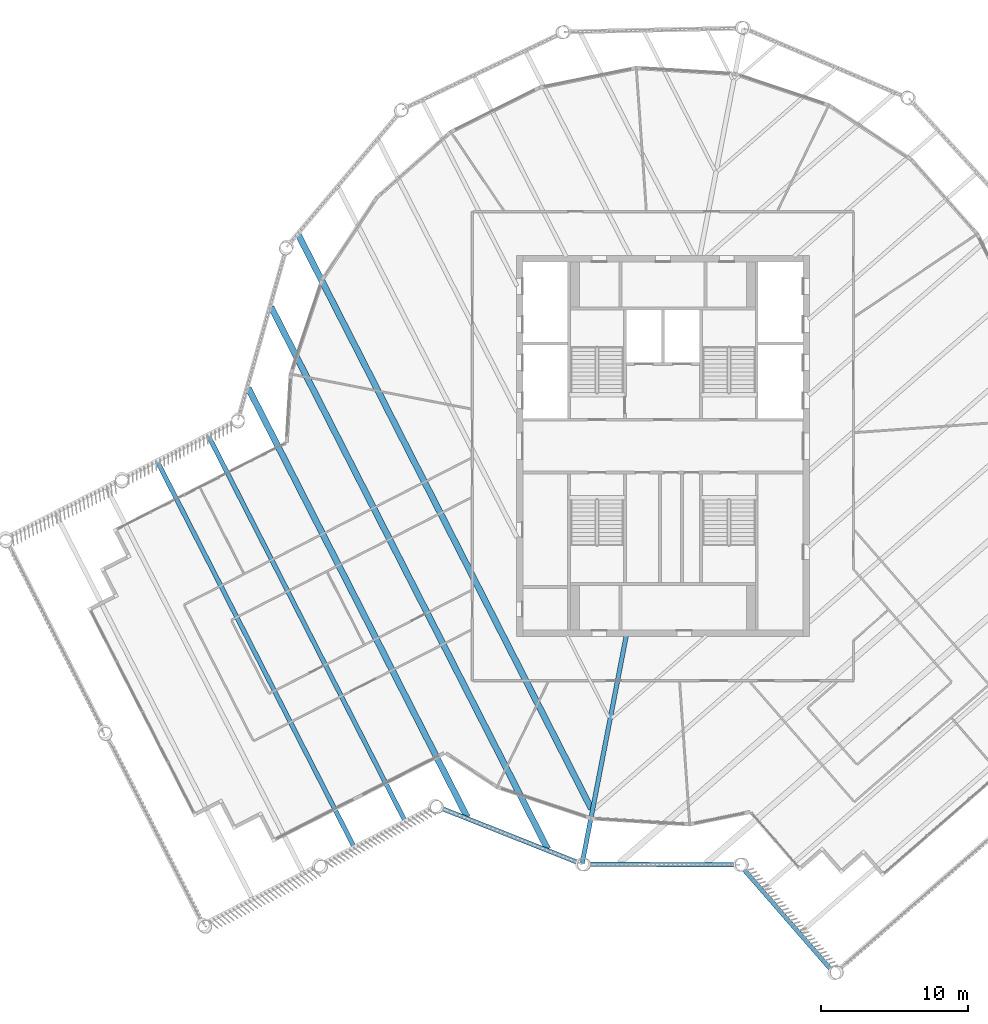
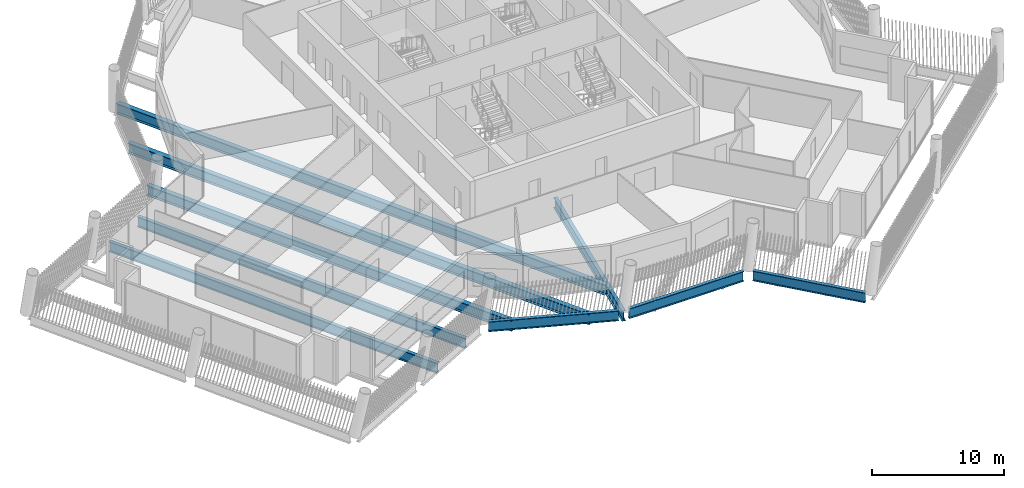
# One storey, part 7 of 28: 9 beams.
"""IFC4 building model written with IfcOpenShell, lengths in metres."""

import ifcopenshell
import ifcopenshell.guid

model = None  # the IFC model being written
_history = None  # IfcOwnerHistory: only IFC2X3 demands one
_inside = {}  # id of a spatial element -> (the spatial element, [elements in it])
_under = {}  # id of a project, library or spatial element -> (it, [spatial elements below it])
_declared = {}  # id of a project -> (the project, [libraries it declares])
_typed = {}  # id of a type object -> (the type object, [elements of that type])
_made_of = {}  # id of a material, layer set ... -> (it, [elements and type objects made of it])


def new_model(schema):
    """Start an empty IFC model of exactly this schema.

    Asked for "IFC4X3", IfcOpenShell would pick the latest addendum, in which some entities
    have other attributes; the version numbers below select the first issue.
    IFC2X3 requires an IfcOwnerHistory on every rooted entity: one is made here for all.
    """
    global model, _history
    if schema == "IFC4X3":
        model = ifcopenshell.file(schema_version=(4, 3, 0, 0))
    else:
        model = ifcopenshell.file(schema=schema)
    _inside.clear()
    _under.clear()
    _declared.clear()
    _typed.clear()
    _made_of.clear()
    _history = None
    if model.schema == "IFC2X3":
        org = make("IfcOrganization", Name="unknown")
        user = make(
            "IfcPersonAndOrganization",
            ThePerson=make("IfcPerson", FamilyName="unknown"),
            TheOrganization=org,
        )
        app = make(
            "IfcApplication",
            ApplicationDeveloper=org,
            Version="unknown",
            ApplicationFullName="unknown",
            ApplicationIdentifier="unknown",
        )
        _history = make(
            "IfcOwnerHistory",
            OwningUser=user,
            OwningApplication=app,
            ChangeAction="ADDED",
            CreationDate=0,
        )
    return model


def make(cls, **values):
    """One entity of the class cls with the attributes given. An attribute that is None is left unset."""
    return model.create_entity(
        cls, **{name: value for name, value in values.items() if value is not None}
    )


def rooted(cls, **values):
    """An entity with a GlobalId (a new one), such as an element, a storey or a relation."""
    return make(cls, GlobalId=ifcopenshell.guid.new(), OwnerHistory=_history, **values)


def si_unit(unit_type, name, prefix=None):
    """IfcSIUnit, for example si_unit("LENGTHUNIT", "METRE", prefix="MILLI")."""
    return make("IfcSIUnit", UnitType=unit_type, Prefix=prefix, Name=name)


def assignment(units):
    """IfcUnitAssignment: the units of a project."""
    return None if units is None else make("IfcUnitAssignment", Units=units)


def point(xyz):
    """IfcCartesianPoint."""
    return None if xyz is None else make("IfcCartesianPoint", Coordinates=xyz)


def direction(xyz):
    """IfcDirection."""
    return None if xyz is None else make("IfcDirection", DirectionRatios=xyz)


def frame(location, z_axis=None, x_axis=None):
    """IfcAxis2Placement3D, a coordinate frame: its origin and axes. An axis left out is left unset."""
    return make(
        "IfcAxis2Placement3D",
        Location=point(location),
        Axis=direction(z_axis),
        RefDirection=direction(x_axis),
    )


def frame_2d(location, x_axis=None):
    """IfcAxis2Placement2D, a coordinate frame in the plane: its origin and x axis."""
    return make(
        "IfcAxis2Placement2D", Location=point(location), RefDirection=direction(x_axis)
    )


def origin():
    """The frame at (0, 0, 0) with its axes left unset."""
    return frame((0.0, 0.0, 0.0))


def origin_2d():
    """The frame at (0, 0) in the plane with its x axis left unset."""
    return frame_2d((0.0, 0.0))


def place(relative_to, where):
    """IfcLocalPlacement: puts the frame where relative to a parent placement (None: the world)."""
    return make(
        "IfcLocalPlacement", PlacementRelTo=relative_to, RelativePlacement=where
    )


def context(
    kind, dimensions, precision=None, world=None, true_north=None, identifier=None
):
    """IfcGeometricRepresentationContext, for example the 3D "Model" context."""
    return make(
        "IfcGeometricRepresentationContext",
        ContextIdentifier=identifier,
        ContextType=kind,
        CoordinateSpaceDimension=dimensions,
        Precision=precision,
        WorldCoordinateSystem=world,
        TrueNorth=true_north,
    )


def subcontext(parent, identifier, kind, view, scale=None):
    """IfcGeometricRepresentationSubContext, for example "Body" below "Model"."""
    return make(
        "IfcGeometricRepresentationSubContext",
        ContextIdentifier=identifier,
        ContextType=kind,
        ParentContext=parent,
        TargetScale=scale,
        TargetView=view,
    )


def project(units=None, contexts=None):
    """IfcProject with its units and contexts."""
    return rooted(
        "IfcProject",
        Name="project",
        RepresentationContexts=contexts,
        UnitsInContext=assignment(units),
    )


def spatial(cls, under=None, at=None, **own):
    """A site, building, storey or space (cls), placed at a placement, below another one or the project."""
    s = rooted(cls, ObjectPlacement=at, **own)
    if under is not None:
        _under.setdefault(under.id(), (under, []))[1].append(s)
    return s


def profile(cls, at=None, kind="AREA", **sizes):
    """A parametric profile (cls). Its sizes go by their IFC names, for example OverallWidth=200.0."""
    return make(cls, ProfileType=kind, Position=at, **sizes)


def i_section(**sizes):
    """IfcIShapeProfileDef."""
    return profile("IfcIShapeProfileDef", **sizes)


def extrude(swept, where, along, depth):
    """IfcExtrudedAreaSolid: the profile swept, set in the frame where, extruded along a direction by depth."""
    return make(
        "IfcExtrudedAreaSolid",
        SweptArea=swept,
        Position=where,
        ExtrudedDirection=direction(along),
        Depth=depth,
    )


def shape(context_of_items, identifier, shape_type, items):
    """IfcShapeRepresentation: the items that make up one representation, for example the "Body"."""
    return make(
        "IfcShapeRepresentation",
        ContextOfItems=context_of_items,
        RepresentationIdentifier=identifier,
        RepresentationType=shape_type,
        Items=items,
    )


def material(Name=None, Category=None):
    """IfcMaterial."""
    return make("IfcMaterial", Name=Name, Category=Category)


def material_profile(
    of_material, cross_section, Name=None, Category=None, Priority=None
):
    """IfcMaterialProfile: a cross section and its material."""
    return make(
        "IfcMaterialProfile",
        Name=Name,
        Material=of_material,
        Profile=cross_section,
        Priority=Priority,
        Category=Category,
    )


def profile_set(profiles, Name=None, composite=None):
    """IfcMaterialProfileSet."""
    return make(
        "IfcMaterialProfileSet",
        Name=Name,
        MaterialProfiles=profiles,
        CompositeProfile=composite,
    )


def made_of(thing, what):
    """Note that an element or type object is made of a material, layer set ...; save() writes the relation."""
    if what is not None:
        _made_of.setdefault(what.id(), (what, []))[1].append(thing)
    return thing


def type_object(cls, material=None, **own):
    """A type object (cls), such as IfcWallType, which elements share."""
    return made_of(rooted(cls, **own), material)


def element(
    cls,
    number,
    at=None,
    inside=None,
    cuts=None,
    type_object=None,
    material=None,
    context=None,
    identifier="Body",
    shape_type=None,
    held_by="IfcProductDefinitionShape",
    body=None,
    shapes=None,
    **own,
):
    """One element of the class cls, such as IfcWall. Its Tag is "e" and its number.

    at: its placement. inside: the storey or other place that contains it. cuts: it is an
    opening in that element (IfcRelVoidsElement). A single representation is given by context,
    identifier, shape_type and body (its items); several are given by shapes. held_by: the class
    of the entity that holds the representations. save() writes the other relations.
    """
    e = rooted(cls, Tag="e%d" % number, ObjectPlacement=at, **own)
    if body is not None:
        shapes = [shape(context, identifier, shape_type, body)]
    if shapes is not None:
        e.Representation = make(held_by, Representations=shapes)
    if inside is not None:
        _inside.setdefault(inside.id(), (inside, []))[1].append(e)
    if cuts is not None:
        rooted(
            "IfcRelVoidsElement", RelatingBuildingElement=cuts, RelatedOpeningElement=e
        )
    if type_object is not None:
        _typed.setdefault(type_object.id(), (type_object, []))[1].append(e)
    return made_of(e, material)


def aggregate(whole, parts):
    """IfcRelAggregates: a whole, such as a stair, and the parts it consists of."""
    return rooted("IfcRelAggregates", RelatingObject=whole, RelatedObjects=parts)


def save(model, path):
    """Write the relations noted so far, then the file.

    IfcRelAggregates (storeys below a building ...), IfcRelContainedInSpatialStructure (elements
    in a storey), IfcRelDefinesByType, IfcRelAssociatesMaterial and IfcRelDeclares: one each for
    every whole, place, type object, material and project.
    """
    for whole, parts in _under.values():
        aggregate(whole, parts)
    for where, things in _inside.values():
        rooted(
            "IfcRelContainedInSpatialStructure",
            RelatedElements=things,
            RelatingStructure=where,
        )
    for kind, things in _typed.values():
        rooted("IfcRelDefinesByType", RelatedObjects=things, RelatingType=kind)
    for what, things in _made_of.values():
        rooted("IfcRelAssociatesMaterial", RelatedObjects=things, RelatingMaterial=what)
    for by, libraries in _declared.values():
        rooted("IfcRelDeclares", RelatingContext=by, RelatedDefinitions=libraries)
    model.write(path)


model = new_model("IFC4")

# Units and contexts
model_context = context("Model", 3, precision=1e-05, world=origin(), true_north=direction((0.0, 1.0)))
body_context = subcontext(model_context, "Body", "Model", "MODEL_VIEW")
ifc_project = project(units=[si_unit("LENGTHUNIT", "METRE"), si_unit("AREAUNIT", "SQUARE_METRE"), si_unit("VOLUMEUNIT", "CUBIC_METRE"), si_unit("PLANEANGLEUNIT", "RADIAN"), si_unit("MASSUNIT", "GRAM", prefix="KILO")], contexts=[model_context])

# Site, building, storey
site_placement = place(None, origin())
site = spatial("IfcSite", under=ifc_project, at=site_placement, CompositionType="ELEMENT")
building_placement = place(site_placement, origin())
building = spatial("IfcBuilding", under=site, at=building_placement, Name="Tarsis Ring Headquarters", CompositionType="ELEMENT")
storey_placement = place(building_placement, frame((0.0, 0.0, 394.39990234375)))
storey = spatial("IfcBuildingStorey", under=building, at=storey_placement, Name="L93", CompositionType="ELEMENT", Elevation=394.39990234375)

# Beams
ifc_material = material(Name="Structural steel S355", Category="steel")
ifc_material_profile_1 = material_profile(ifc_material, i_section(OverallWidth=0.309814453125, OverallDepth=0.949951171875, WebThickness=0.0244140625, FlangeThickness=0.0439453125, at=origin_2d()), Name="W36x256")
ifc_profile_set_1 = profile_set([ifc_material_profile_1], Name="Structural steel S355")
beam_type_1 = type_object("IfcBeamType", Name="FB Floor beam W36x256", PredefinedType="JOIST", material=ifc_profile_set_1)
for number, where, z_axis, x_axis, name in (
    (1, (-31.020263671875, 0.724609375, -0.635009765625), (0.454614690801, -0.89068820746, 0.0), (0.89068820746, 0.454614690801, 0.0), "Floor beam FB11"),
    (2, (-34.493896484375, -1.04833984375, -0.635009765625), (0.454614690801, -0.89068820746, 0.0), (0.89068820746, 0.454614690801, 0.0), "Floor beam FB11"),
):
    element("IfcBeam", number, at=place(storey_placement, frame(where, z_axis=z_axis, x_axis=x_axis)), inside=storey, type_object=beam_type_1, Name=name, PredefinedType="JOIST", context=body_context, shape_type="SweptSolid", body=[
        extrude(i_section(OverallWidth=0.309814453125, OverallDepth=0.949951171875, WebThickness=0.0244140625, FlangeThickness=0.0439453125, at=origin_2d()), origin(), (0.0, 0.0, 1.0), 29.4951171875),
    ])
beam_type_2 = type_object("IfcBeamType", Name="FB Floor beam W36x256 spine", PredefinedType="BEAM", material=ifc_profile_set_1)
beam_1_placement = place(storey_placement, frame((-2.49853515625, -12.90185546875, -0.635009765625), z_axis=(-0.190129653074, -0.981758990294, 0.0), x_axis=(0.981758990294, -0.190129653074, 0.0)))
element("IfcBeam", 3, at=beam_1_placement, inside=storey, type_object=beam_type_2, Name="Floor beam SB11", PredefinedType="BEAM", context=body_context, shape_type="SweptSolid", body=[
    extrude(i_section(OverallWidth=0.309814453125, OverallDepth=0.949951171875, WebThickness=0.0244140625, FlangeThickness=0.0439453125, at=origin_2d()), origin(), (0.0, 0.0, 1.0), 15.851806640625),
])
ifc_material_profile_2 = material_profile(ifc_material, i_section(OverallWidth=0.42431640625, OverallDepth=0.947509765625, WebThickness=0.02392578125, FlangeThickness=0.042724609375, at=origin_2d()), Name="W36x302")
ifc_profile_set_2 = profile_set([ifc_material_profile_2], Name="Structural steel S355")
beam_type_3 = type_object("IfcBeamType", Name="FB Floor beam W36x302", PredefinedType="JOIST", material=ifc_profile_set_2)
beam_2_placement = place(storey_placement, frame((-24.884521484375, 14.439697265625, -0.633544921875), z_axis=(0.454610804347, -0.890690191128, 0.0), x_axis=(0.890690191128, 0.454610804347, 0.0)))
element("IfcBeam", 4, at=beam_2_placement, inside=storey, type_object=beam_type_3, Name="Floor beam FB12", PredefinedType="JOIST", context=body_context, shape_type="SweptSolid", body=[
    extrude(i_section(OverallWidth=0.42431640625, OverallDepth=0.947509765625, WebThickness=0.02392578125, FlangeThickness=0.042724609375, at=origin_2d()), origin(), (0.0, 0.0, 1.0), 43.9892578125),
])
beam_3_placement = place(storey_placement, frame((-26.738037109375, 9.4921875, -0.633544921875), z_axis=(0.454612169287, -0.890689494457, 0.0), x_axis=(0.890689494457, 0.454612169287, 0.0)))
element("IfcBeam", 5, at=beam_3_placement, inside=storey, type_object=beam_type_3, Name="Floor beam FB12", PredefinedType="JOIST", context=body_context, shape_type="SweptSolid", body=[
    extrude(i_section(OverallWidth=0.42431640625, OverallDepth=0.947509765625, WebThickness=0.02392578125, FlangeThickness=0.042724609375, at=origin_2d()), origin(), (0.0, 0.0, 1.0), 41.53125),
])
beam_4_placement = place(storey_placement, frame((-28.297119140625, 3.96826171875, -0.633544921875), z_axis=(0.454610879329, -0.890690152857, 0.0), x_axis=(0.890690152857, 0.454610879329, 0.0)))
element("IfcBeam", 6, at=beam_4_placement, inside=storey, type_object=beam_type_3, Name="Floor beam FB12", PredefinedType="JOIST", context=body_context, shape_type="SweptSolid", body=[
    extrude(i_section(OverallWidth=0.42431640625, OverallDepth=0.947509765625, WebThickness=0.02392578125, FlangeThickness=0.042724609375, at=origin_2d()), origin(), (0.0, 0.0, 1.0), 32.883056640625),
])
ifc_material_profile_3 = material_profile(ifc_material, i_section(OverallWidth=0.3046875, OverallDepth=0.91943359375, WebThickness=0.017333984375, FlangeThickness=0.02783203125, at=origin_2d()), Name="W36x170")
ifc_profile_set_3 = profile_set([ifc_material_profile_3], Name="Structural steel S355")
beam_type_4 = type_object("IfcBeamType", Name="XG Ring girder W36x170", PredefinedType="BEAM", material=ifc_profile_set_3)
beam_5_placement = place(storey_placement, frame((-5.111328125, -28.520751953125, -0.459716796875), z_axis=(0.999988550763, -0.004785221286, 0.0), x_axis=(0.004785221286, 0.999988550763, 0.0)))
element("IfcBeam", 7, at=beam_5_placement, inside=storey, type_object=beam_type_4, Name="Ring girder XG4", PredefinedType="BEAM", context=body_context, shape_type="SweptSolid", body=[
    extrude(i_section(OverallWidth=0.3046875, OverallDepth=0.91943359375, WebThickness=0.017333984375, FlangeThickness=0.02783203125, at=origin_2d()), origin(), (0.0, 0.0, 1.0), 9.94873046875),
])
beam_6_placement = place(storey_placement, frame((5.51904296875, -28.880615234375, -0.459716796875), z_axis=(0.656570302822, -0.754264832438, 0.0), x_axis=(0.754264832438, 0.656570302822, 0.0)))
element("IfcBeam", 8, at=beam_6_placement, inside=storey, type_object=beam_type_4, Name="Ring girder XG4", PredefinedType="BEAM", context=body_context, shape_type="SweptSolid", body=[
    extrude(i_section(OverallWidth=0.3046875, OverallDepth=0.91943359375, WebThickness=0.017333984375, FlangeThickness=0.02783203125, at=origin_2d()), origin(), (0.0, 0.0, 1.0), 8.9814453125),
])
beam_7_placement = place(storey_placement, frame((-15.152587890625, -24.697265625, -0.459716796875), z_axis=(0.929486971956, -0.368854942986, 0.0), x_axis=(0.368854942986, 0.929486971956, 0.0)))
element("IfcBeam", 9, at=beam_7_placement, inside=storey, type_object=beam_type_4, Name="Ring girder XG4", PredefinedType="BEAM", context=body_context, shape_type="SweptSolid", body=[
    extrude(i_section(OverallWidth=0.3046875, OverallDepth=0.91943359375, WebThickness=0.017333984375, FlangeThickness=0.02783203125, at=origin_2d()), origin(), (0.0, 0.0, 1.0), 9.94873046875),
])

save(model, "model.ifc")
